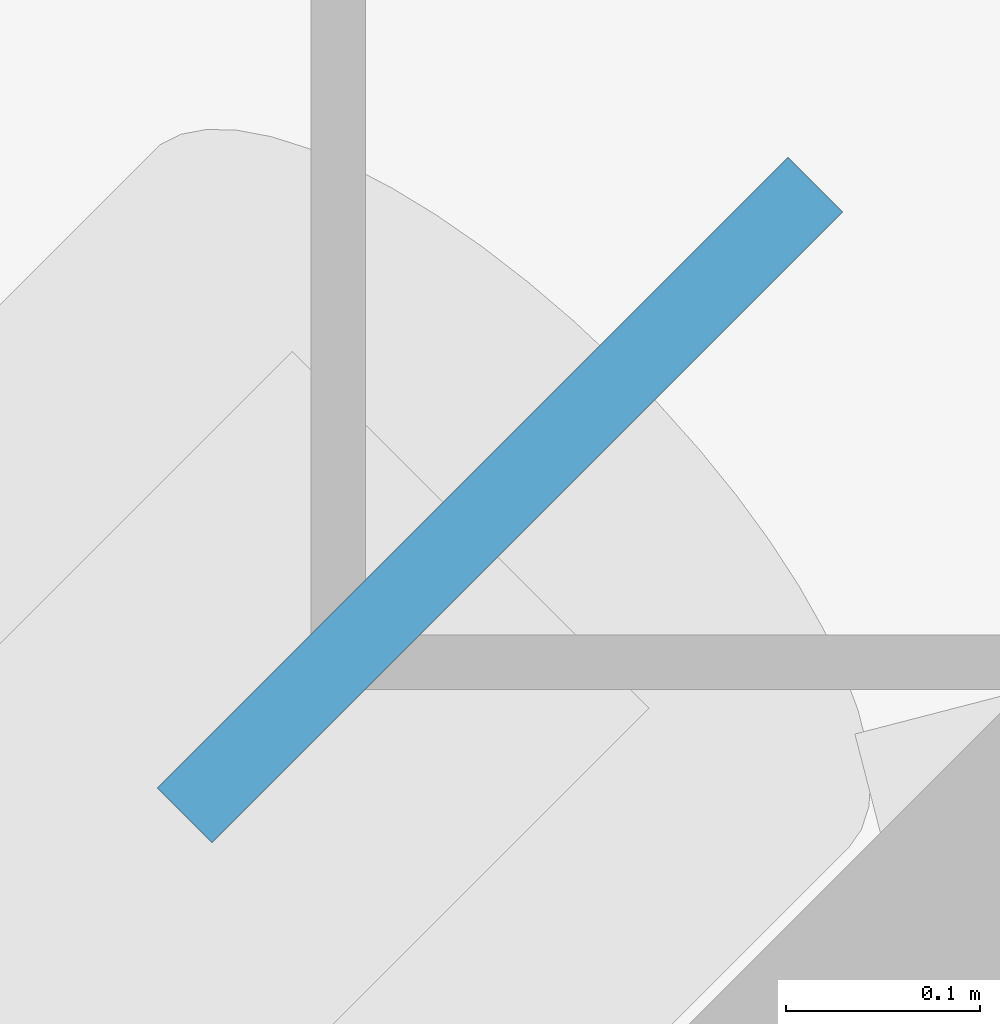
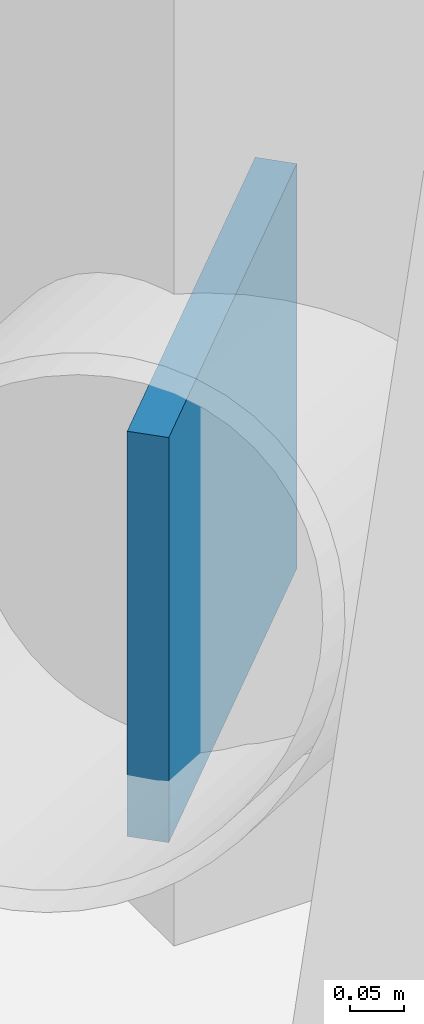
# One storey, part 15 of 17: 1 discrete accessory.
"""IFC4 building model written with IfcOpenShell, lengths in metres."""

from ifc_helpers import new_model, si_unit, direction, frame, origin, origin_2d, place, context, subcontext, project, spatial, rectangle, extrude, material, type_object, element, save


model = new_model("IFC4")

# Units and contexts
model_context = context("Model", 3, precision=1e-05, world=origin(), true_north=direction((0.0, 1.0)))
body_context = subcontext(model_context, "Body", "Model", "MODEL_VIEW")
ifc_project = project(units=[si_unit("LENGTHUNIT", "METRE"), si_unit("AREAUNIT", "SQUARE_METRE"), si_unit("VOLUMEUNIT", "CUBIC_METRE"), si_unit("PLANEANGLEUNIT", "RADIAN"), si_unit("MASSUNIT", "GRAM", prefix="KILO")], contexts=[model_context])

# Site, building, storey
site_placement = place(None, origin())
site = spatial("IfcSite", under=ifc_project, at=site_placement, CompositionType="ELEMENT")
building_placement = place(site_placement, origin())
building = spatial("IfcBuilding", under=site, at=building_placement, Name="Tavrogorsk Clinical Tower", CompositionType="ELEMENT")
storey_placement = place(building_placement, frame((0.0, 0.0, 160.199951171875)))
storey = spatial("IfcBuildingStorey", under=building, at=storey_placement, Name="L36", CompositionType="ELEMENT", Elevation=160.199951171875)

# Discrete accessory
ifc_material = material(Name="Structural steel S440", Category="steel")
discrete_accessory_type = type_object("IfcDiscreteAccessoryType", Name="GussetPlateBracket_25", PredefinedType="BRACKET", material=ifc_material)
discrete_accessory_placement = place(storey_placement, frame((-28.12255859375, 26.217529296875, 0.18310546875), z_axis=(0.0, 0.0, 1.0), x_axis=(-0.707106781187, -0.707106781187, 0.0)))
element("IfcDiscreteAccessory", 1, at=discrete_accessory_placement, inside=storey, type_object=discrete_accessory_type, Name="L36 Brace Gusset Plate EXOCRN-L36-3-A", PredefinedType="BRACKET", context=body_context, shape_type="SweptSolid", body=[
    extrude(rectangle(XDim=0.4599609375, YDim=0.0400390625, at=origin_2d()), origin(), (0.0, 0.0, 1.0), 0.4599609375),
])

save(model, "model.ifc")
